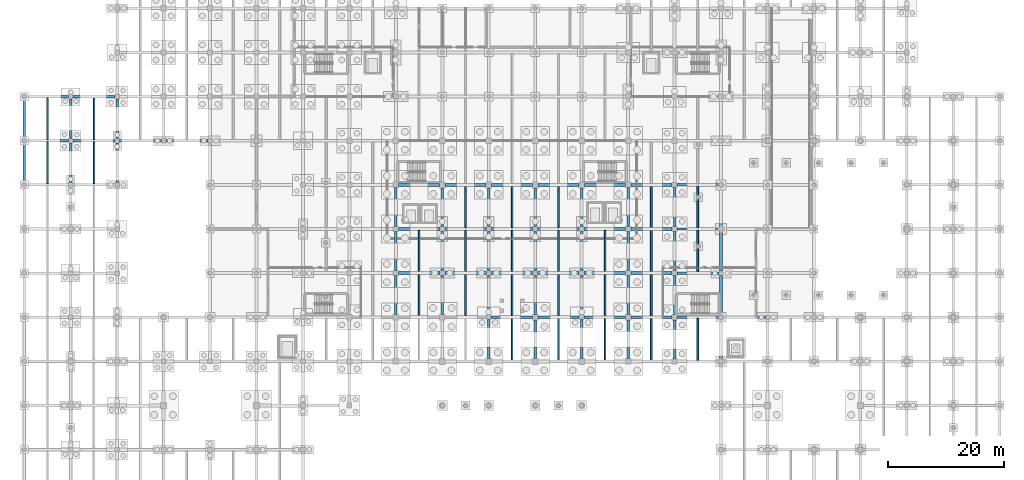
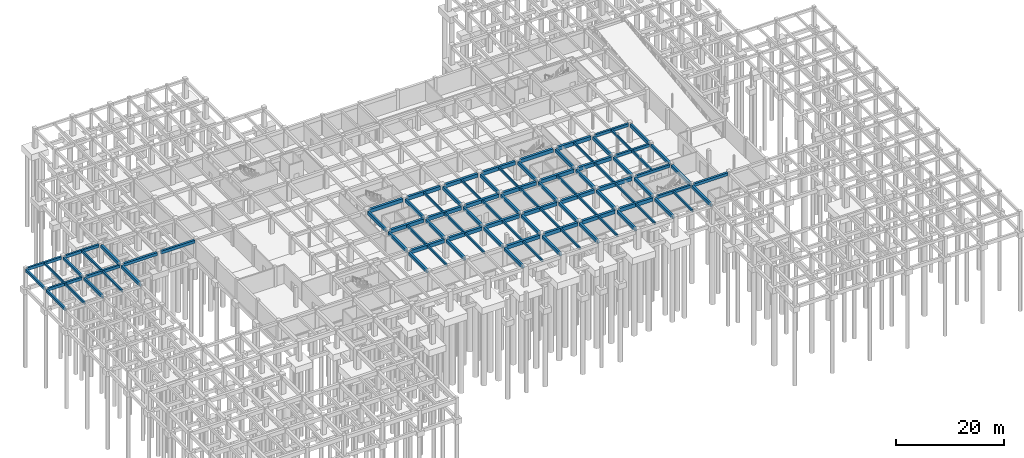
# One storey, part 28 of 49: 96 beams.
"""IFC4 building model written with IfcOpenShell, lengths in metres."""

from ifc_helpers import new_model, si_unit, direction, frame, origin, origin_2d, place, context, subcontext, project, spatial, rectangle, extrude, material, material_profile, profile_set, type_object, element, save


model = new_model("IFC4")

# Units and contexts
model_context = context("Model", 3, precision=1e-05, world=origin(), true_north=direction((0.0, 1.0)))
body_context = subcontext(model_context, "Body", "Model", "MODEL_VIEW")
ifc_project = project(units=[si_unit("LENGTHUNIT", "METRE"), si_unit("AREAUNIT", "SQUARE_METRE"), si_unit("VOLUMEUNIT", "CUBIC_METRE"), si_unit("PLANEANGLEUNIT", "RADIAN"), si_unit("MASSUNIT", "GRAM", prefix="KILO")], contexts=[model_context])

# Site, building, storey
site_placement = place(None, origin())
site = spatial("IfcSite", under=ifc_project, at=site_placement, CompositionType="ELEMENT")
building_placement = place(site_placement, origin())
building = spatial("IfcBuilding", under=site, at=building_placement, Name="Zantavel Square City Hall", CompositionType="ELEMENT")
storey_placement = place(building_placement, frame((0.0, 0.0, -4.5)))
storey = spatial("IfcBuildingStorey", under=building, at=storey_placement, Name="B1", CompositionType="ELEMENT", Elevation=-4.5)

# Beams
ifc_material = material(Name="Concrete C35/45", Category="concrete")
ifc_material_profile_1 = material_profile(ifc_material, rectangle(XDim=0.449951171875, YDim=0.64990234375, at=origin_2d()), Name="RC 450x650")
ifc_profile_set_1 = profile_set([ifc_material_profile_1], Name="Concrete C35/45")
beam_type_1 = type_object("IfcBeamType", Name="Courtyard Cloister Girder RC 450x650 C35/45", PredefinedType="BEAM", material=ifc_profile_set_1)
beam_1_placement = place(storey_placement, frame((16.39990234375, 68.39990234375, 3.85498046875), z_axis=(1.0, 0.0, 0.0), x_axis=(0.0, 1.0, 0.0)))
element("IfcBeam", 1, at=beam_1_placement, inside=storey, type_object=beam_type_1, Name="B1 Girder BMX-B1-0160-0684", PredefinedType="BEAM", context=body_context, shape_type="SweptSolid", body=[
    extrude(rectangle(XDim=0.449951171875, YDim=0.64990234375, at=origin_2d()), origin(), (0.0, 0.0, 1.0), 7.22509765625),
])
for number, where, z_axis, x_axis, name in (
    (2, (24.375, 68.39990234375, 3.85498046875), (1.0, 0.0, 0.0), (0.0, 1.0, 0.0), "B1 Girder BMX-B1-0240-0684"),
    (3, (120.375, 38.0, 3.875), (1.0, 0.0, 0.0), (0.0, 1.0, 0.0), "B1 Girder BMX-B1-1200-0380"),
):
    element("IfcBeam", number, at=place(storey_placement, frame(where, z_axis=z_axis, x_axis=x_axis)), inside=storey, type_object=beam_type_1, Name=name, PredefinedType="BEAM", context=body_context, shape_type="SweptSolid", body=[
        extrude(rectangle(XDim=0.449951171875, YDim=0.64990234375, at=origin_2d()), origin(), (0.0, 0.0, 1.0), 7.25),
    ])
ifc_material_profile_2 = material_profile(ifc_material, rectangle(XDim=0.300048828125, YDim=0.5, at=origin_2d()), Name="RC 300x500")
ifc_profile_set_2 = profile_set([ifc_material_profile_2], Name="Concrete C35/45")
beam_type_2 = type_object("IfcBeamType", Name="Floor Joist RC 300x500 C35/45", PredefinedType="JOIST", material=ifc_profile_set_2)
for number, where, z_axis, x_axis, name in (
    (4, (4.0, 61.0, 4.0), (0.0, 1.0, 0.0), (-1.0, 0.0, 0.0), "B1 Floor Joist JST-B1-0040-0608"),
    (5, (4.0, 68.60009765625, 4.0), (0.0, 1.0, 0.0), (-1.0, 0.0, 0.0), "B1 Floor Joist JST-B1-0040-0684"),
    (6, (12.0, 61.0, 3.929931640625), (0.0, 1.0, 0.0), (-1.0, 0.0, 0.0), "B1 Floor Joist JST-B1-0120-0608"),
    (7, (12.0, 68.60009765625, 3.929931640625), (0.0, 1.0, 0.0), (-1.0, 0.0, 0.0), "B1 Floor Joist JST-B1-0120-0684"),
):
    element("IfcBeam", number, at=place(storey_placement, frame(where, z_axis=z_axis, x_axis=x_axis)), inside=storey, type_object=beam_type_2, Name=name, PredefinedType="JOIST", context=body_context, shape_type="SweptSolid", body=[
        extrude(rectangle(XDim=0.300048828125, YDim=0.5, at=origin_2d()), origin(), (0.0, 0.0, 1.0), 7.199951171875),
    ])
beam_2_placement = place(storey_placement, frame((68.0, 38.25, 3.949951171875), z_axis=(0.0, 1.0, 0.0), x_axis=(-1.0, 0.0, 0.0)))
element("IfcBeam", 8, at=beam_2_placement, inside=storey, type_object=beam_type_2, Name="B1 Floor Joist JST-B1-0680-0380", PredefinedType="JOIST", context=body_context, shape_type="SweptSolid", body=[
    extrude(rectangle(XDim=0.300048828125, YDim=0.5, at=origin_2d()), origin(), (0.0, 0.0, 1.0), 7.10009765625),
])
beam_3_placement = place(storey_placement, frame((68.0, 45.85009765625, 3.949951171875), z_axis=(0.0, 1.0, 0.0), x_axis=(-1.0, 0.0, 0.0)))
element("IfcBeam", 9, at=beam_3_placement, inside=storey, type_object=beam_type_2, Name="B1 Floor Joist JST-B1-0680-0456", PredefinedType="JOIST", context=body_context, shape_type="SweptSolid", body=[
    extrude(rectangle(XDim=0.300048828125, YDim=0.5, at=origin_2d()), origin(), (0.0, 0.0, 1.0), 7.099853515625),
])
beam_4_placement = place(storey_placement, frame((76.0, 38.25, 3.949951171875), z_axis=(0.0, 1.0, 0.0), x_axis=(-1.0, 0.0, 0.0)))
element("IfcBeam", 10, at=beam_4_placement, inside=storey, type_object=beam_type_2, Name="B1 Floor Joist JST-B1-0760-0380", PredefinedType="JOIST", context=body_context, shape_type="SweptSolid", body=[
    extrude(rectangle(XDim=0.300048828125, YDim=0.5, at=origin_2d()), origin(), (0.0, 0.0, 1.0), 7.10009765625),
])
beam_5_placement = place(storey_placement, frame((76.0, 45.85009765625, 3.949951171875), z_axis=(0.0, 1.0, 0.0), x_axis=(-1.0, 0.0, 0.0)))
element("IfcBeam", 11, at=beam_5_placement, inside=storey, type_object=beam_type_2, Name="B1 Floor Joist JST-B1-0760-0456", PredefinedType="JOIST", context=body_context, shape_type="SweptSolid", body=[
    extrude(rectangle(XDim=0.300048828125, YDim=0.5, at=origin_2d()), origin(), (0.0, 0.0, 1.0), 7.099853515625),
])
for number, where, z_axis, x_axis, name in (
    (12, (76.0, 53.449951171875, 3.949951171875), (0.0, 1.0, 0.0), (-1.0, 0.0, 0.0), "B1 Floor Joist JST-B1-0760-0532"),
    (13, (84.0, 30.64990234375, 3.949951171875), (0.0, 1.0, 0.0), (-1.0, 0.0, 0.0), "B1 Floor Joist JST-B1-0840-0304"),
    (14, (84.0, 38.25, 3.949951171875), (0.0, 1.0, 0.0), (-1.0, 0.0, 0.0), "B1 Floor Joist JST-B1-0840-0380"),
):
    element("IfcBeam", number, at=place(storey_placement, frame(where, z_axis=z_axis, x_axis=x_axis)), inside=storey, type_object=beam_type_2, Name=name, PredefinedType="JOIST", context=body_context, shape_type="SweptSolid", body=[
        extrude(rectangle(XDim=0.300048828125, YDim=0.5, at=origin_2d()), origin(), (0.0, 0.0, 1.0), 7.10009765625),
    ])
beam_6_placement = place(storey_placement, frame((84.0, 45.85009765625, 3.949951171875), z_axis=(0.0, 1.0, 0.0), x_axis=(-1.0, 0.0, 0.0)))
element("IfcBeam", 15, at=beam_6_placement, inside=storey, type_object=beam_type_2, Name="B1 Floor Joist JST-B1-0840-0456", PredefinedType="JOIST", context=body_context, shape_type="SweptSolid", body=[
    extrude(rectangle(XDim=0.300048828125, YDim=0.5, at=origin_2d()), origin(), (0.0, 0.0, 1.0), 7.099853515625),
])
for number, where, z_axis, x_axis, name in (
    (16, (84.0, 53.449951171875, 3.949951171875), (0.0, 1.0, 0.0), (-1.0, 0.0, 0.0), "B1 Floor Joist JST-B1-0840-0532"),
    (17, (92.0, 30.64990234375, 3.949951171875), (0.0, 1.0, 0.0), (-1.0, 0.0, 0.0), "B1 Floor Joist JST-B1-0920-0304"),
    (18, (92.0, 38.25, 3.949951171875), (0.0, 1.0, 0.0), (-1.0, 0.0, 0.0), "B1 Floor Joist JST-B1-0920-0380"),
):
    element("IfcBeam", number, at=place(storey_placement, frame(where, z_axis=z_axis, x_axis=x_axis)), inside=storey, type_object=beam_type_2, Name=name, PredefinedType="JOIST", context=body_context, shape_type="SweptSolid", body=[
        extrude(rectangle(XDim=0.300048828125, YDim=0.5, at=origin_2d()), origin(), (0.0, 0.0, 1.0), 7.10009765625),
    ])
beam_7_placement = place(storey_placement, frame((92.0, 45.85009765625, 3.949951171875), z_axis=(0.0, 1.0, 0.0), x_axis=(-1.0, 0.0, 0.0)))
element("IfcBeam", 19, at=beam_7_placement, inside=storey, type_object=beam_type_2, Name="B1 Floor Joist JST-B1-0920-0456", PredefinedType="JOIST", context=body_context, shape_type="SweptSolid", body=[
    extrude(rectangle(XDim=0.300048828125, YDim=0.5, at=origin_2d()), origin(), (0.0, 0.0, 1.0), 7.099853515625),
])
for number, where, z_axis, x_axis, name in (
    (20, (92.0, 53.449951171875, 3.949951171875), (0.0, 1.0, 0.0), (-1.0, 0.0, 0.0), "B1 Floor Joist JST-B1-0920-0532"),
    (21, (100.0, 30.64990234375, 3.949951171875), (0.0, 1.0, 0.0), (-1.0, 0.0, 0.0), "B1 Floor Joist JST-B1-1000-0304"),
    (22, (100.0, 38.25, 3.949951171875), (0.0, 1.0, 0.0), (-1.0, 0.0, 0.0), "B1 Floor Joist JST-B1-1000-0380"),
):
    element("IfcBeam", number, at=place(storey_placement, frame(where, z_axis=z_axis, x_axis=x_axis)), inside=storey, type_object=beam_type_2, Name=name, PredefinedType="JOIST", context=body_context, shape_type="SweptSolid", body=[
        extrude(rectangle(XDim=0.300048828125, YDim=0.5, at=origin_2d()), origin(), (0.0, 0.0, 1.0), 7.10009765625),
    ])
beam_8_placement = place(storey_placement, frame((100.0, 45.85009765625, 3.949951171875), z_axis=(0.0, 1.0, 0.0), x_axis=(-1.0, 0.0, 0.0)))
element("IfcBeam", 23, at=beam_8_placement, inside=storey, type_object=beam_type_2, Name="B1 Floor Joist JST-B1-1000-0456", PredefinedType="JOIST", context=body_context, shape_type="SweptSolid", body=[
    extrude(rectangle(XDim=0.300048828125, YDim=0.5, at=origin_2d()), origin(), (0.0, 0.0, 1.0), 7.099853515625),
])
for number, where, z_axis, x_axis, name in (
    (24, (108.0, 30.64990234375, 3.949951171875), (0.0, 1.0, 0.0), (-1.0, 0.0, 0.0), "B1 Floor Joist JST-B1-1080-0304"),
    (25, (108.0, 38.25, 3.949951171875), (0.0, 1.0, 0.0), (-1.0, 0.0, 0.0), "B1 Floor Joist JST-B1-1080-0380"),
):
    element("IfcBeam", number, at=place(storey_placement, frame(where, z_axis=z_axis, x_axis=x_axis)), inside=storey, type_object=beam_type_2, Name=name, PredefinedType="JOIST", context=body_context, shape_type="SweptSolid", body=[
        extrude(rectangle(XDim=0.300048828125, YDim=0.5, at=origin_2d()), origin(), (0.0, 0.0, 1.0), 7.10009765625),
    ])
beam_9_placement = place(storey_placement, frame((108.0, 45.85009765625, 3.949951171875), z_axis=(0.0, 1.0, 0.0), x_axis=(-1.0, 0.0, 0.0)))
element("IfcBeam", 26, at=beam_9_placement, inside=storey, type_object=beam_type_2, Name="B1 Floor Joist JST-B1-1080-0456", PredefinedType="JOIST", context=body_context, shape_type="SweptSolid", body=[
    extrude(rectangle(XDim=0.300048828125, YDim=0.5, at=origin_2d()), origin(), (0.0, 0.0, 1.0), 7.099853515625),
])
beam_10_placement = place(storey_placement, frame((108.0, 53.449951171875, 3.949951171875), z_axis=(0.0, 1.0, 0.0), x_axis=(-1.0, 0.0, 0.0)))
element("IfcBeam", 27, at=beam_10_placement, inside=storey, type_object=beam_type_2, Name="B1 Floor Joist JST-B1-1080-0532", PredefinedType="JOIST", context=body_context, shape_type="SweptSolid", body=[
    extrude(rectangle(XDim=0.300048828125, YDim=0.5, at=origin_2d()), origin(), (0.0, 0.0, 1.0), 7.10009765625),
])
for number, where, z_axis, x_axis, name in (
    (28, (116.0, 30.60009765625, 3.949951171875), (0.0, 1.0, 0.0), (-1.0, 0.0, 0.0), "B1 Floor Joist JST-B1-1160-0304"),
    (29, (116.0, 45.800048828125, 3.949951171875), (0.0, 1.0, 0.0), (-1.0, 0.0, 0.0), "B1 Floor Joist JST-B1-1160-0456"),
):
    element("IfcBeam", number, at=place(storey_placement, frame(where, z_axis=z_axis, x_axis=x_axis)), inside=storey, type_object=beam_type_2, Name=name, PredefinedType="JOIST", context=body_context, shape_type="SweptSolid", body=[
        extrude(rectangle(XDim=0.300048828125, YDim=0.5, at=origin_2d()), origin(), (0.0, 0.0, 1.0), 7.199951171875),
    ])
beam_11_placement = place(storey_placement, frame((116.0, 53.39990234375, 3.949951171875), z_axis=(0.0, 1.0, 0.0), x_axis=(-1.0, 0.0, 0.0)))
element("IfcBeam", 30, at=beam_11_placement, inside=storey, type_object=beam_type_2, Name="B1 Floor Joist JST-B1-1160-0532", PredefinedType="JOIST", context=body_context, shape_type="SweptSolid", body=[
    extrude(rectangle(XDim=0.300048828125, YDim=0.5, at=origin_2d()), origin(), (0.0, 0.0, 1.0), 7.2001953125),
])
ifc_material_profile_3 = material_profile(ifc_material, rectangle(XDim=0.39990234375, YDim=0.64990234375, at=origin_2d()), Name="RC 400x650")
ifc_profile_set_3 = profile_set([ifc_material_profile_3], Name="Concrete C35/45")
beam_type_3 = type_object("IfcBeamType", Name="Frame Beam RC 400x650 C35/45", PredefinedType="BEAM", material=ifc_profile_set_3)
for number, where, z_axis, x_axis, name in (
    (31, (0.324951171875, 68.39990234375, 3.925048828125), (1.0, 0.0, 0.0), (0.0, 1.0, 0.0), "B1 Girder BMX-B1-0000-0684"),
    (32, (0.324951171875, 76.0, 3.925048828125), (1.0, 0.0, 0.0), (0.0, 1.0, 0.0), "B1 Girder BMX-B1-0000-0760"),
):
    element("IfcBeam", number, at=place(storey_placement, frame(where, z_axis=z_axis, x_axis=x_axis)), inside=storey, type_object=beam_type_3, Name=name, PredefinedType="BEAM", context=body_context, shape_type="SweptSolid", body=[
        extrude(rectangle(XDim=0.39990234375, YDim=0.64990234375, at=origin_2d()), origin(), (0.0, 0.0, 1.0), 7.275146484375),
    ])
for number, where, z_axis, x_axis, name in (
    (33, (8.39990234375, 68.39990234375, 3.85498046875), (1.0, 0.0, 0.0), (0.0, 1.0, 0.0), "B1 Girder BMX-B1-0080-0684"),
    (34, (8.39990234375, 76.0, 3.875), (1.0, 0.0, 0.0), (0.0, 1.0, 0.0), "B1 Girder BMX-B1-0080-0760"),
):
    element("IfcBeam", number, at=place(storey_placement, frame(where, z_axis=z_axis, x_axis=x_axis)), inside=storey, type_object=beam_type_3, Name=name, PredefinedType="BEAM", context=body_context, shape_type="SweptSolid", body=[
        extrude(rectangle(XDim=0.39990234375, YDim=0.64990234375, at=origin_2d()), origin(), (0.0, 0.0, 1.0), 7.2001953125),
    ])
for number, where, z_axis, x_axis, name in (
    (35, (112.449951171875, 38.0, 3.875), (1.0, 0.0, 0.0), (0.0, 1.0, 0.0), "B1 Girder BMX-B1-1120-0380"),
    (36, (112.449951171875, 45.60009765625, 3.875), (1.0, 0.0, 0.0), (0.0, 1.0, 0.0), "B1 Girder BMX-B1-1120-0456"),
    (37, (112.449951171875, 53.199951171875, 3.875), (1.0, 0.0, 0.0), (0.0, 1.0, 0.0), "B1 Girder BMX-B1-1120-0532"),
    (38, (112.449951171875, 60.800048828125, 3.875), (1.0, 0.0, 0.0), (0.0, 1.0, 0.0), "B1 Girder BMX-B1-1120-0608"),
):
    element("IfcBeam", number, at=place(storey_placement, frame(where, z_axis=z_axis, x_axis=x_axis)), inside=storey, type_object=beam_type_3, Name=name, PredefinedType="BEAM", context=body_context, shape_type="SweptSolid", body=[
        extrude(rectangle(XDim=0.39990234375, YDim=0.64990234375, at=origin_2d()), origin(), (0.0, 0.0, 1.0), 7.175048828125),
    ])
ifc_material_profile_4 = material_profile(ifc_material, rectangle(XDim=0.39990234375, YDim=0.60009765625, at=origin_2d()), Name="RC 400x600")
ifc_profile_set_4 = profile_set([ifc_material_profile_4], Name="Concrete C35/45")
beam_type_4 = type_object("IfcBeamType", Name="Perimeter Spandrel RC 400x600 C35/45", PredefinedType="SPANDREL", material=ifc_profile_set_4)
for number, where, z_axis, x_axis, name in (
    (39, (0.0, 61.125, 3.949951171875), (0.0, 1.0, 0.0), (-1.0, 0.0, 0.0), "B1 Beam BMY-B1-0000-0608"),
    (40, (0.0, 68.72509765625, 3.949951171875), (0.0, 1.0, 0.0), (-1.0, 0.0, 0.0), "B1 Beam BMY-B1-0000-0684"),
):
    element("IfcBeam", number, at=place(storey_placement, frame(where, z_axis=z_axis, x_axis=x_axis)), inside=storey, type_object=beam_type_4, Name=name, PredefinedType="SPANDREL", context=body_context, shape_type="SweptSolid", body=[
        extrude(rectangle(XDim=0.39990234375, YDim=0.60009765625, at=origin_2d()), origin(), (0.0, 0.0, 1.0), 6.949951171875),
    ])
for number, where, z_axis, x_axis, name in (
    (41, (8.0, 61.199951171875, 3.8798828125), (0.0, 1.0, 0.0), (-1.0, 0.0, 0.0), "B1 Beam BMY-B1-0080-0608"),
    (42, (8.0, 68.800048828125, 3.8798828125), (0.0, 1.0, 0.0), (-1.0, 0.0, 0.0), "B1 Beam BMY-B1-0080-0684"),
):
    element("IfcBeam", number, at=place(storey_placement, frame(where, z_axis=z_axis, x_axis=x_axis)), inside=storey, type_object=beam_type_4, Name=name, PredefinedType="SPANDREL", context=body_context, shape_type="SweptSolid", body=[
        extrude(rectangle(XDim=0.39990234375, YDim=0.60009765625, at=origin_2d()), origin(), (0.0, 0.0, 1.0), 6.800048828125),
    ])
ifc_material_profile_5 = material_profile(ifc_material, rectangle(XDim=0.449951171875, YDim=0.699951171875, at=origin_2d()), Name="RC 450x700")
ifc_profile_set_5 = profile_set([ifc_material_profile_5], Name="Concrete C35/45")
beam_type_5 = type_object("IfcBeamType", Name="Primary Girder RC 450x700 C35/45", PredefinedType="BEAM", material=ifc_profile_set_5)
for number, where, z_axis, x_axis, name in (
    (43, (16.0, 61.199951171875, 3.830078125), (0.0, 1.0, 0.0), (-1.0, 0.0, 0.0), "B1 Beam BMY-B1-0160-0608"),
    (44, (16.0, 68.800048828125, 3.830078125), (0.0, 1.0, 0.0), (-1.0, 0.0, 0.0), "B1 Beam BMY-B1-0160-0684"),
):
    element("IfcBeam", number, at=place(storey_placement, frame(where, z_axis=z_axis, x_axis=x_axis)), inside=storey, type_object=beam_type_5, Name=name, PredefinedType="BEAM", context=body_context, shape_type="SweptSolid", body=[
        extrude(rectangle(XDim=0.449951171875, YDim=0.699951171875, at=origin_2d()), origin(), (0.0, 0.0, 1.0), 6.800048828125),
    ])
for number, where, z_axis, x_axis, name in (
    (45, (64.0, 38.449951171875, 3.85009765625), (0.0, 1.0, 0.0), (-1.0, 0.0, 0.0), "B1 Beam BMY-B1-0640-0380"),
    (46, (64.0, 46.050048828125, 3.85009765625), (0.0, 1.0, 0.0), (-1.0, 0.0, 0.0), "B1 Beam BMY-B1-0640-0456"),
):
    element("IfcBeam", number, at=place(storey_placement, frame(where, z_axis=z_axis, x_axis=x_axis)), inside=storey, type_object=beam_type_5, Name=name, PredefinedType="BEAM", context=body_context, shape_type="SweptSolid", body=[
        extrude(rectangle(XDim=0.449951171875, YDim=0.699951171875, at=origin_2d()), origin(), (0.0, 0.0, 1.0), 6.699951171875),
    ])
for number, where, z_axis, x_axis, name in (
    (47, (64.0, 53.64990234375, 3.85009765625), (0.0, 1.0, 0.0), (-1.0, 0.0, 0.0), "B1 Beam BMY-B1-0640-0532"),
    (48, (72.0, 38.5, 3.85009765625), (0.0, 1.0, 0.0), (-1.0, 0.0, 0.0), "B1 Beam BMY-B1-0720-0380"),
):
    element("IfcBeam", number, at=place(storey_placement, frame(where, z_axis=z_axis, x_axis=x_axis)), inside=storey, type_object=beam_type_5, Name=name, PredefinedType="BEAM", context=body_context, shape_type="SweptSolid", body=[
        extrude(rectangle(XDim=0.449951171875, YDim=0.699951171875, at=origin_2d()), origin(), (0.0, 0.0, 1.0), 6.675048828125),
    ])
beam_12_placement = place(storey_placement, frame((72.0, 46.02490234375, 3.85009765625), z_axis=(0.0, 1.0, 0.0), x_axis=(-1.0, 0.0, 0.0)))
element("IfcBeam", 49, at=beam_12_placement, inside=storey, type_object=beam_type_5, Name="B1 Beam BMY-B1-0720-0456", PredefinedType="BEAM", context=body_context, shape_type="SweptSolid", body=[
    extrude(rectangle(XDim=0.449951171875, YDim=0.699951171875, at=origin_2d()), origin(), (0.0, 0.0, 1.0), 6.75),
])
for number, where, z_axis, x_axis, name in (
    (50, (72.0, 53.625, 3.85009765625), (0.0, 1.0, 0.0), (-1.0, 0.0, 0.0), "B1 Beam BMY-B1-0720-0532"),
    (51, (80.0, 30.89990234375, 3.85009765625), (0.0, 1.0, 0.0), (-1.0, 0.0, 0.0), "B1 Beam BMY-B1-0800-0304"),
):
    element("IfcBeam", number, at=place(storey_placement, frame(where, z_axis=z_axis, x_axis=x_axis)), inside=storey, type_object=beam_type_5, Name=name, PredefinedType="BEAM", context=body_context, shape_type="SweptSolid", body=[
        extrude(rectangle(XDim=0.449951171875, YDim=0.699951171875, at=origin_2d()), origin(), (0.0, 0.0, 1.0), 6.675048828125),
    ])
for number, where, z_axis, x_axis, name in (
    (52, (80.0, 38.425048828125, 3.85009765625), (0.0, 1.0, 0.0), (-1.0, 0.0, 0.0), "B1 Beam BMY-B1-0800-0380"),
    (53, (80.0, 46.02490234375, 3.85009765625), (0.0, 1.0, 0.0), (-1.0, 0.0, 0.0), "B1 Beam BMY-B1-0800-0456"),
):
    element("IfcBeam", number, at=place(storey_placement, frame(where, z_axis=z_axis, x_axis=x_axis)), inside=storey, type_object=beam_type_5, Name=name, PredefinedType="BEAM", context=body_context, shape_type="SweptSolid", body=[
        extrude(rectangle(XDim=0.449951171875, YDim=0.699951171875, at=origin_2d()), origin(), (0.0, 0.0, 1.0), 6.75),
    ])
beam_13_placement = place(storey_placement, frame((80.0, 53.625, 3.85009765625), z_axis=(0.0, 1.0, 0.0), x_axis=(-1.0, 0.0, 0.0)))
element("IfcBeam", 54, at=beam_13_placement, inside=storey, type_object=beam_type_5, Name="B1 Beam BMY-B1-0800-0532", PredefinedType="BEAM", context=body_context, shape_type="SweptSolid", body=[
    extrude(rectangle(XDim=0.449951171875, YDim=0.699951171875, at=origin_2d()), origin(), (0.0, 0.0, 1.0), 6.675048828125),
])
beam_14_placement = place(storey_placement, frame((88.0, 30.89990234375, 3.85009765625), z_axis=(0.0, 1.0, 0.0), x_axis=(-1.0, 0.0, 0.0)))
element("IfcBeam", 55, at=beam_14_placement, inside=storey, type_object=beam_type_5, Name="B1 Beam BMY-B1-0880-0304", PredefinedType="BEAM", context=body_context, shape_type="SweptSolid", body=[
    extrude(rectangle(XDim=0.449951171875, YDim=0.699951171875, at=origin_2d()), origin(), (0.0, 0.0, 1.0), 6.60009765625),
])
beam_15_placement = place(storey_placement, frame((88.0, 38.5, 3.85009765625), z_axis=(0.0, 1.0, 0.0), x_axis=(-1.0, 0.0, 0.0)))
element("IfcBeam", 56, at=beam_15_placement, inside=storey, type_object=beam_type_5, Name="B1 Beam BMY-B1-0880-0380", PredefinedType="BEAM", context=body_context, shape_type="SweptSolid", body=[
    extrude(rectangle(XDim=0.449951171875, YDim=0.699951171875, at=origin_2d()), origin(), (0.0, 0.0, 1.0), 6.675048828125),
])
beam_16_placement = place(storey_placement, frame((88.0, 46.02490234375, 3.85009765625), z_axis=(0.0, 1.0, 0.0), x_axis=(-1.0, 0.0, 0.0)))
element("IfcBeam", 57, at=beam_16_placement, inside=storey, type_object=beam_type_5, Name="B1 Beam BMY-B1-0880-0456", PredefinedType="BEAM", context=body_context, shape_type="SweptSolid", body=[
    extrude(rectangle(XDim=0.449951171875, YDim=0.699951171875, at=origin_2d()), origin(), (0.0, 0.0, 1.0), 6.75),
])
for number, where, z_axis, x_axis, name in (
    (58, (88.0, 53.625, 3.85009765625), (0.0, 1.0, 0.0), (-1.0, 0.0, 0.0), "B1 Beam BMY-B1-0880-0532"),
    (59, (96.0, 30.89990234375, 3.85009765625), (0.0, 1.0, 0.0), (-1.0, 0.0, 0.0), "B1 Beam BMY-B1-0960-0304"),
):
    element("IfcBeam", number, at=place(storey_placement, frame(where, z_axis=z_axis, x_axis=x_axis)), inside=storey, type_object=beam_type_5, Name=name, PredefinedType="BEAM", context=body_context, shape_type="SweptSolid", body=[
        extrude(rectangle(XDim=0.449951171875, YDim=0.699951171875, at=origin_2d()), origin(), (0.0, 0.0, 1.0), 6.675048828125),
    ])
for number, where, z_axis, x_axis, name in (
    (60, (96.0, 38.425048828125, 3.85009765625), (0.0, 1.0, 0.0), (-1.0, 0.0, 0.0), "B1 Beam BMY-B1-0960-0380"),
    (61, (96.0, 46.02490234375, 3.85009765625), (0.0, 1.0, 0.0), (-1.0, 0.0, 0.0), "B1 Beam BMY-B1-0960-0456"),
):
    element("IfcBeam", number, at=place(storey_placement, frame(where, z_axis=z_axis, x_axis=x_axis)), inside=storey, type_object=beam_type_5, Name=name, PredefinedType="BEAM", context=body_context, shape_type="SweptSolid", body=[
        extrude(rectangle(XDim=0.449951171875, YDim=0.699951171875, at=origin_2d()), origin(), (0.0, 0.0, 1.0), 6.75),
    ])
for number, where, z_axis, x_axis, name in (
    (62, (96.0, 53.625, 3.85009765625), (0.0, 1.0, 0.0), (-1.0, 0.0, 0.0), "B1 Beam BMY-B1-0960-0532"),
    (63, (104.0, 30.875, 3.85009765625), (0.0, 1.0, 0.0), (-1.0, 0.0, 0.0), "B1 Beam BMY-B1-1040-0304"),
):
    element("IfcBeam", number, at=place(storey_placement, frame(where, z_axis=z_axis, x_axis=x_axis)), inside=storey, type_object=beam_type_5, Name=name, PredefinedType="BEAM", context=body_context, shape_type="SweptSolid", body=[
        extrude(rectangle(XDim=0.449951171875, YDim=0.699951171875, at=origin_2d()), origin(), (0.0, 0.0, 1.0), 6.675048828125),
    ])
for number, where, z_axis, x_axis, name in (
    (64, (104.0, 38.449951171875, 3.85009765625), (0.0, 1.0, 0.0), (-1.0, 0.0, 0.0), "B1 Beam BMY-B1-1040-0380"),
    (65, (104.0, 46.050048828125, 3.85009765625), (0.0, 1.0, 0.0), (-1.0, 0.0, 0.0), "B1 Beam BMY-B1-1040-0456"),
):
    element("IfcBeam", number, at=place(storey_placement, frame(where, z_axis=z_axis, x_axis=x_axis)), inside=storey, type_object=beam_type_5, Name=name, PredefinedType="BEAM", context=body_context, shape_type="SweptSolid", body=[
        extrude(rectangle(XDim=0.449951171875, YDim=0.699951171875, at=origin_2d()), origin(), (0.0, 0.0, 1.0), 6.699951171875),
    ])
beam_17_placement = place(storey_placement, frame((104.0, 53.64990234375, 3.85009765625), z_axis=(0.0, 1.0, 0.0), x_axis=(-1.0, 0.0, 0.0)))
element("IfcBeam", 66, at=beam_17_placement, inside=storey, type_object=beam_type_5, Name="B1 Beam BMY-B1-1040-0532", PredefinedType="BEAM", context=body_context, shape_type="SweptSolid", body=[
    extrude(rectangle(XDim=0.449951171875, YDim=0.699951171875, at=origin_2d()), origin(), (0.0, 0.0, 1.0), 6.675048828125),
])
for number, where, z_axis, x_axis, name in (
    (67, (112.0, 30.85009765625, 3.85009765625), (0.0, 1.0, 0.0), (-1.0, 0.0, 0.0), "B1 Beam BMY-B1-1120-0304"),
    (68, (112.0, 38.449951171875, 3.85009765625), (0.0, 1.0, 0.0), (-1.0, 0.0, 0.0), "B1 Beam BMY-B1-1120-0380"),
    (69, (112.0, 46.050048828125, 3.85009765625), (0.0, 1.0, 0.0), (-1.0, 0.0, 0.0), "B1 Beam BMY-B1-1120-0456"),
):
    element("IfcBeam", number, at=place(storey_placement, frame(where, z_axis=z_axis, x_axis=x_axis)), inside=storey, type_object=beam_type_5, Name=name, PredefinedType="BEAM", context=body_context, shape_type="SweptSolid", body=[
        extrude(rectangle(XDim=0.449951171875, YDim=0.699951171875, at=origin_2d()), origin(), (0.0, 0.0, 1.0), 6.699951171875),
    ])
beam_18_placement = place(storey_placement, frame((112.0, 53.64990234375, 3.85009765625), z_axis=(0.0, 1.0, 0.0), x_axis=(-1.0, 0.0, 0.0)))
element("IfcBeam", 70, at=beam_18_placement, inside=storey, type_object=beam_type_5, Name="B1 Beam BMY-B1-1120-0532", PredefinedType="BEAM", context=body_context, shape_type="SweptSolid", body=[
    extrude(rectangle(XDim=0.449951171875, YDim=0.699951171875, at=origin_2d()), origin(), (0.0, 0.0, 1.0), 6.7001953125),
])
for number, where, z_axis, x_axis, name in (
    (71, (120.0, 30.77490234375, 3.85009765625), (0.0, 1.0, 0.0), (-1.0, 0.0, 0.0), "B1 Beam BMY-B1-1200-0304"),
    (72, (120.0, 38.375, 3.85009765625), (0.0, 1.0, 0.0), (-1.0, 0.0, 0.0), "B1 Beam BMY-B1-1200-0380"),
):
    element("IfcBeam", number, at=place(storey_placement, frame(where, z_axis=z_axis, x_axis=x_axis)), inside=storey, type_object=beam_type_5, Name=name, PredefinedType="BEAM", context=body_context, shape_type="SweptSolid", body=[
        extrude(rectangle(XDim=0.449951171875, YDim=0.699951171875, at=origin_2d()), origin(), (0.0, 0.0, 1.0), 6.85009765625),
    ])
beam_19_placement = place(storey_placement, frame((120.0, 45.97509765625, 3.85009765625), z_axis=(0.0, 1.0, 0.0), x_axis=(-1.0, 0.0, 0.0)))
element("IfcBeam", 73, at=beam_19_placement, inside=storey, type_object=beam_type_5, Name="B1 Beam BMY-B1-1200-0456", PredefinedType="BEAM", context=body_context, shape_type="SweptSolid", body=[
    extrude(rectangle(XDim=0.449951171875, YDim=0.699951171875, at=origin_2d()), origin(), (0.0, 0.0, 1.0), 6.849853515625),
])
beam_20_placement = place(storey_placement, frame((120.0, 53.574951171875, 3.85009765625), z_axis=(0.0, 1.0, 0.0), x_axis=(-1.0, 0.0, 0.0)))
element("IfcBeam", 74, at=beam_20_placement, inside=storey, type_object=beam_type_5, Name="B1 Beam BMY-B1-1200-0532", PredefinedType="BEAM", context=body_context, shape_type="SweptSolid", body=[
    extrude(rectangle(XDim=0.449951171875, YDim=0.699951171875, at=origin_2d()), origin(), (0.0, 0.0, 1.0), 6.85009765625),
])
ifc_material_profile_6 = material_profile(ifc_material, rectangle(XDim=0.5, YDim=0.800048828125, at=origin_2d()), Name="RC 500x800")
ifc_profile_set_6 = profile_set([ifc_material_profile_6], Name="Concrete C35/45")
beam_type_6 = type_object("IfcBeamType", Name="Primary Girder RC 500x800 C35/45", PredefinedType="BEAM", material=ifc_profile_set_6)
for number, where, z_axis, x_axis, name in (
    (75, (64.449951171875, 45.60009765625, 3.800048828125), (1.0, 0.0, 0.0), (0.0, 1.0, 0.0), "B1 Girder BMX-B1-0640-0456"),
    (76, (64.449951171875, 53.199951171875, 3.800048828125), (1.0, 0.0, 0.0), (0.0, 1.0, 0.0), "B1 Girder BMX-B1-0640-0532"),
):
    element("IfcBeam", number, at=place(storey_placement, frame(where, z_axis=z_axis, x_axis=x_axis)), inside=storey, type_object=beam_type_6, Name=name, PredefinedType="BEAM", context=body_context, shape_type="SweptSolid", body=[
        extrude(rectangle(XDim=0.5, YDim=0.800048828125, at=origin_2d()), origin(), (0.0, 0.0, 1.0), 7.125),
    ])
beam_21_placement = place(storey_placement, frame((64.47509765625, 60.800048828125, 3.800048828125), z_axis=(1.0, 0.0, 0.0), x_axis=(0.0, 1.0, 0.0)))
element("IfcBeam", 77, at=beam_21_placement, inside=storey, type_object=beam_type_6, Name="B1 Girder BMX-B1-0640-0608", PredefinedType="BEAM", context=body_context, shape_type="SweptSolid", body=[
    extrude(rectangle(XDim=0.5, YDim=0.800048828125, at=origin_2d()), origin(), (0.0, 0.0, 1.0), 7.02490234375),
])
for number, where, z_axis, x_axis, name in (
    (78, (72.425048828125, 45.60009765625, 3.800048828125), (1.0, 0.0, 0.0), (0.0, 1.0, 0.0), "B1 Girder BMX-B1-0720-0456"),
    (79, (72.425048828125, 53.199951171875, 3.800048828125), (1.0, 0.0, 0.0), (0.0, 1.0, 0.0), "B1 Girder BMX-B1-0720-0532"),
):
    element("IfcBeam", number, at=place(storey_placement, frame(where, z_axis=z_axis, x_axis=x_axis)), inside=storey, type_object=beam_type_6, Name=name, PredefinedType="BEAM", context=body_context, shape_type="SweptSolid", body=[
        extrude(rectangle(XDim=0.5, YDim=0.800048828125, at=origin_2d()), origin(), (0.0, 0.0, 1.0), 7.14990234375),
    ])
beam_22_placement = place(storey_placement, frame((72.5, 60.800048828125, 3.800048828125), z_axis=(1.0, 0.0, 0.0), x_axis=(0.0, 1.0, 0.0)))
element("IfcBeam", 80, at=beam_22_placement, inside=storey, type_object=beam_type_6, Name="B1 Girder BMX-B1-0720-0608", PredefinedType="BEAM", context=body_context, shape_type="SweptSolid", body=[
    extrude(rectangle(XDim=0.5, YDim=0.800048828125, at=origin_2d()), origin(), (0.0, 0.0, 1.0), 7.0),
])
beam_23_placement = place(storey_placement, frame((80.425048828125, 38.0, 3.800048828125), z_axis=(1.0, 0.0, 0.0), x_axis=(0.0, 1.0, 0.0)))
element("IfcBeam", 81, at=beam_23_placement, inside=storey, type_object=beam_type_6, Name="B1 Girder BMX-B1-0800-0380", PredefinedType="BEAM", context=body_context, shape_type="SweptSolid", body=[
    extrude(rectangle(XDim=0.5, YDim=0.800048828125, at=origin_2d()), origin(), (0.0, 0.0, 1.0), 7.074951171875),
])
for number, where, z_axis, x_axis, name in (
    (82, (80.425048828125, 45.60009765625, 3.800048828125), (1.0, 0.0, 0.0), (0.0, 1.0, 0.0), "B1 Girder BMX-B1-0800-0456"),
    (83, (80.425048828125, 53.199951171875, 3.800048828125), (1.0, 0.0, 0.0), (0.0, 1.0, 0.0), "B1 Girder BMX-B1-0800-0532"),
):
    element("IfcBeam", number, at=place(storey_placement, frame(where, z_axis=z_axis, x_axis=x_axis)), inside=storey, type_object=beam_type_6, Name=name, PredefinedType="BEAM", context=body_context, shape_type="SweptSolid", body=[
        extrude(rectangle(XDim=0.5, YDim=0.800048828125, at=origin_2d()), origin(), (0.0, 0.0, 1.0), 7.14990234375),
    ])
beam_24_placement = place(storey_placement, frame((80.5, 60.800048828125, 3.800048828125), z_axis=(1.0, 0.0, 0.0), x_axis=(0.0, 1.0, 0.0)))
element("IfcBeam", 84, at=beam_24_placement, inside=storey, type_object=beam_type_6, Name="B1 Girder BMX-B1-0800-0608", PredefinedType="BEAM", context=body_context, shape_type="SweptSolid", body=[
    extrude(rectangle(XDim=0.5, YDim=0.800048828125, at=origin_2d()), origin(), (0.0, 0.0, 1.0), 7.0),
])
beam_25_placement = place(storey_placement, frame((88.5, 38.0, 3.800048828125), z_axis=(1.0, 0.0, 0.0), x_axis=(0.0, 1.0, 0.0)))
element("IfcBeam", 85, at=beam_25_placement, inside=storey, type_object=beam_type_6, Name="B1 Girder BMX-B1-0880-0380", PredefinedType="BEAM", context=body_context, shape_type="SweptSolid", body=[
    extrude(rectangle(XDim=0.5, YDim=0.800048828125, at=origin_2d()), origin(), (0.0, 0.0, 1.0), 7.074951171875),
])
for number, where, z_axis, x_axis, name in (
    (86, (88.425048828125, 45.60009765625, 3.800048828125), (1.0, 0.0, 0.0), (0.0, 1.0, 0.0), "B1 Girder BMX-B1-0880-0456"),
    (87, (88.425048828125, 53.199951171875, 3.800048828125), (1.0, 0.0, 0.0), (0.0, 1.0, 0.0), "B1 Girder BMX-B1-0880-0532"),
):
    element("IfcBeam", number, at=place(storey_placement, frame(where, z_axis=z_axis, x_axis=x_axis)), inside=storey, type_object=beam_type_6, Name=name, PredefinedType="BEAM", context=body_context, shape_type="SweptSolid", body=[
        extrude(rectangle(XDim=0.5, YDim=0.800048828125, at=origin_2d()), origin(), (0.0, 0.0, 1.0), 7.14990234375),
    ])
beam_26_placement = place(storey_placement, frame((88.5, 60.800048828125, 3.800048828125), z_axis=(1.0, 0.0, 0.0), x_axis=(0.0, 1.0, 0.0)))
element("IfcBeam", 88, at=beam_26_placement, inside=storey, type_object=beam_type_6, Name="B1 Girder BMX-B1-0880-0608", PredefinedType="BEAM", context=body_context, shape_type="SweptSolid", body=[
    extrude(rectangle(XDim=0.5, YDim=0.800048828125, at=origin_2d()), origin(), (0.0, 0.0, 1.0), 7.0),
])
for number, where, z_axis, x_axis, name in (
    (89, (96.425048828125, 38.0, 3.800048828125), (1.0, 0.0, 0.0), (0.0, 1.0, 0.0), "B1 Girder BMX-B1-0960-0380"),
    (90, (96.425048828125, 45.60009765625, 3.800048828125), (1.0, 0.0, 0.0), (0.0, 1.0, 0.0), "B1 Girder BMX-B1-0960-0456"),
    (91, (96.425048828125, 53.199951171875, 3.800048828125), (1.0, 0.0, 0.0), (0.0, 1.0, 0.0), "B1 Girder BMX-B1-0960-0532"),
):
    element("IfcBeam", number, at=place(storey_placement, frame(where, z_axis=z_axis, x_axis=x_axis)), inside=storey, type_object=beam_type_6, Name=name, PredefinedType="BEAM", context=body_context, shape_type="SweptSolid", body=[
        extrude(rectangle(XDim=0.5, YDim=0.800048828125, at=origin_2d()), origin(), (0.0, 0.0, 1.0), 7.125),
    ])
beam_27_placement = place(storey_placement, frame((96.5, 60.800048828125, 3.800048828125), z_axis=(1.0, 0.0, 0.0), x_axis=(0.0, 1.0, 0.0)))
element("IfcBeam", 92, at=beam_27_placement, inside=storey, type_object=beam_type_6, Name="B1 Girder BMX-B1-0960-0608", PredefinedType="BEAM", context=body_context, shape_type="SweptSolid", body=[
    extrude(rectangle(XDim=0.5, YDim=0.800048828125, at=origin_2d()), origin(), (0.0, 0.0, 1.0), 7.02490234375),
])
for number, where, z_axis, x_axis, name in (
    (93, (104.449951171875, 38.0, 3.800048828125), (1.0, 0.0, 0.0), (0.0, 1.0, 0.0), "B1 Girder BMX-B1-1040-0380"),
    (94, (104.449951171875, 45.60009765625, 3.800048828125), (1.0, 0.0, 0.0), (0.0, 1.0, 0.0), "B1 Girder BMX-B1-1040-0456"),
    (95, (104.449951171875, 53.199951171875, 3.800048828125), (1.0, 0.0, 0.0), (0.0, 1.0, 0.0), "B1 Girder BMX-B1-1040-0532"),
):
    element("IfcBeam", number, at=place(storey_placement, frame(where, z_axis=z_axis, x_axis=x_axis)), inside=storey, type_object=beam_type_6, Name=name, PredefinedType="BEAM", context=body_context, shape_type="SweptSolid", body=[
        extrude(rectangle(XDim=0.5, YDim=0.800048828125, at=origin_2d()), origin(), (0.0, 0.0, 1.0), 7.10009765625),
    ])
beam_28_placement = place(storey_placement, frame((104.47509765625, 60.800048828125, 3.800048828125), z_axis=(1.0, 0.0, 0.0), x_axis=(0.0, 1.0, 0.0)))
element("IfcBeam", 96, at=beam_28_placement, inside=storey, type_object=beam_type_6, Name="B1 Girder BMX-B1-1040-0608", PredefinedType="BEAM", context=body_context, shape_type="SweptSolid", body=[
    extrude(rectangle(XDim=0.5, YDim=0.800048828125, at=origin_2d()), origin(), (0.0, 0.0, 1.0), 7.074951171875),
])

save(model, "model.ifc")
